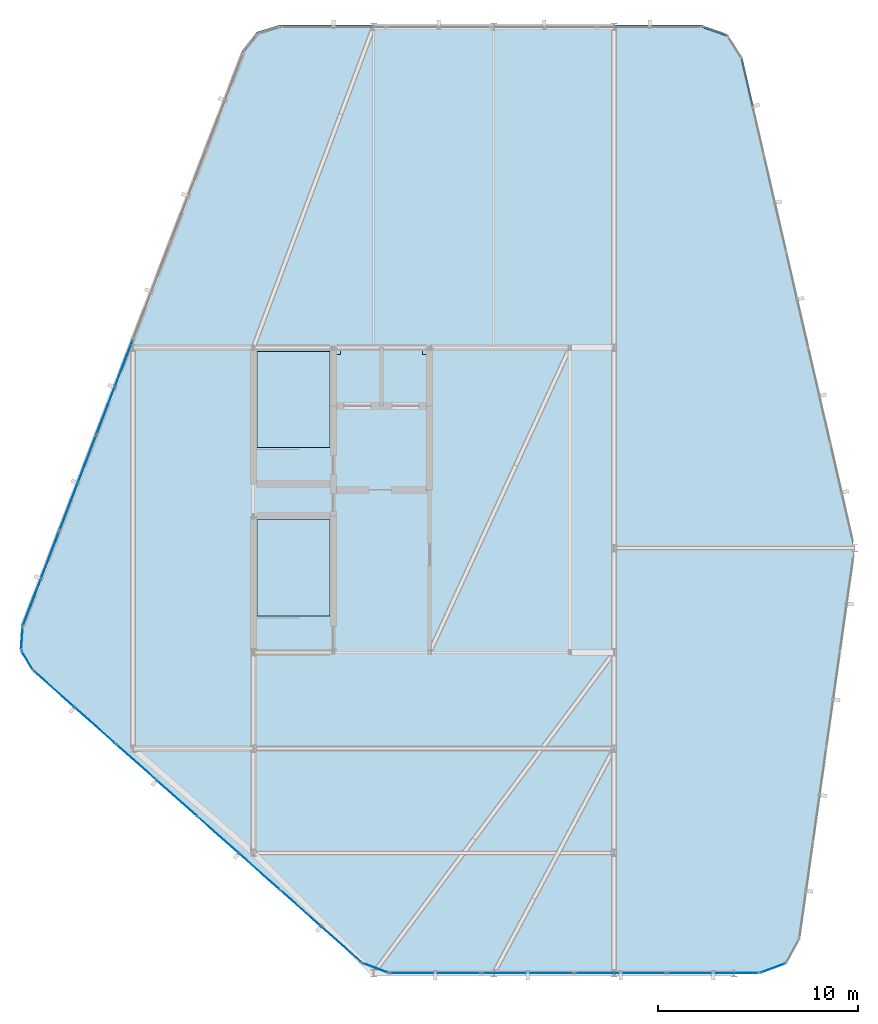
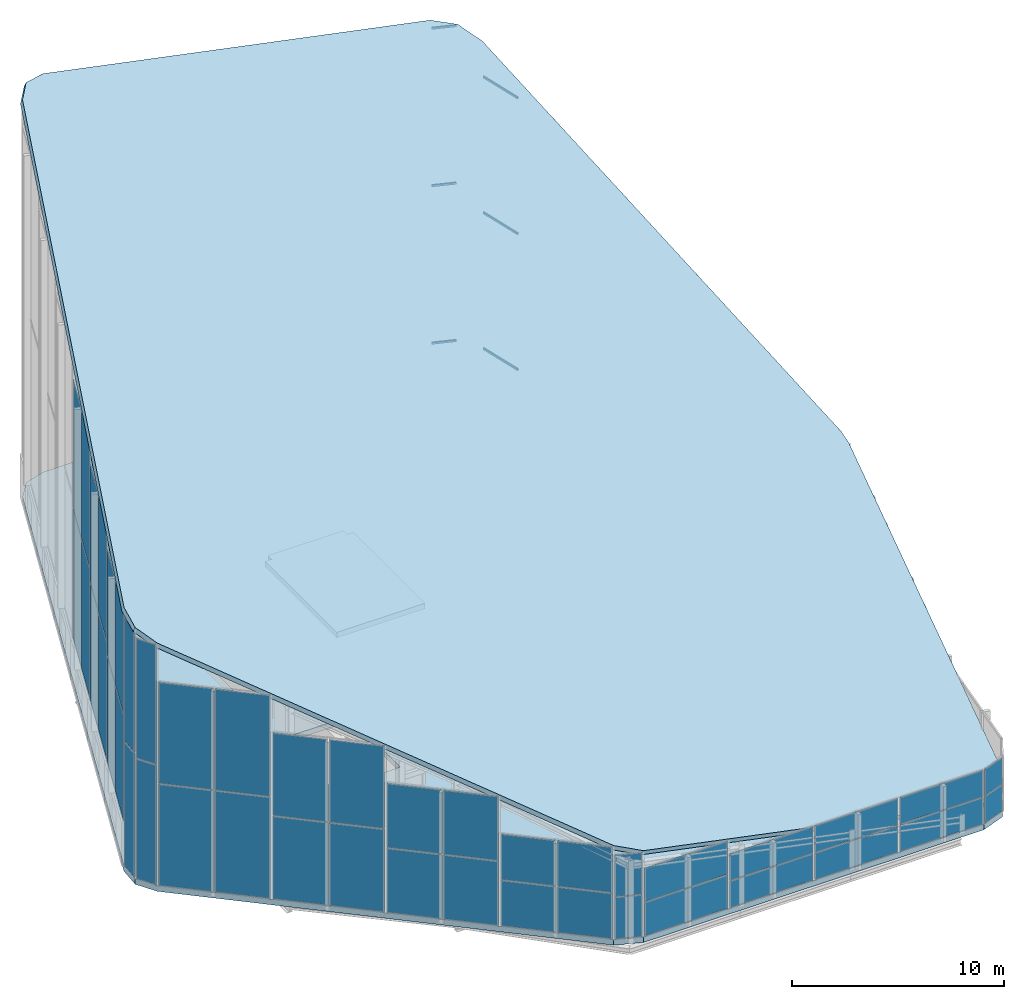
# One storey, part 71 of 74: 44 plates, 6 members, 3 slabs, 17 elements without a shape of their own.
"""IFC4 building model written with IfcOpenShell, lengths in metres."""

from ifc_helpers import new_model, si_unit, direction, frame, origin, origin_2d, place, context, subcontext, project, spatial, polyline, rectangle, hollow_rectangle, outline, extrude, material, layer, layer_set, material_profile, profile_set, type_object, element, aggregate, save


model = new_model("IFC4")

# Units and contexts
model_context = context("Model", 3, precision=1e-05, world=origin(), true_north=direction((0.0, 1.0)))
body_context = subcontext(model_context, "Body", "Model", "MODEL_VIEW")
ifc_project = project(units=[si_unit("LENGTHUNIT", "METRE"), si_unit("AREAUNIT", "SQUARE_METRE"), si_unit("VOLUMEUNIT", "CUBIC_METRE"), si_unit("PLANEANGLEUNIT", "RADIAN"), si_unit("MASSUNIT", "GRAM", prefix="KILO")], contexts=[model_context])

# Site, building, storey
site_placement = place(None, origin())
site = spatial("IfcSite", under=ifc_project, at=site_placement, CompositionType="ELEMENT")
building_placement = place(site_placement, origin())
building = spatial("IfcBuilding", under=site, at=building_placement, Name="Keshet Zoharim Tower", CompositionType="ELEMENT")
storey_placement = place(building_placement, frame((0.0, 0.0, 320.0)))
storey = spatial("IfcBuildingStorey", under=building, at=storey_placement, Name="RF", CompositionType="ELEMENT", Elevation=320.0)

# Curtain wall, members
ifc_material_1 = material(Name="Aluminium 6063-T6", Category="aluminium")
ifc_layer_1 = layer(ifc_material_1, 0.260009765625)
ifc_layer_set_1 = layer_set([ifc_layer_1], Name="Aluminium 6063-T6")
curtain_wall_type = type_object("IfcCurtainWallType", Name="CW-SYS-06", PredefinedType="NOTDEFINED", material=ifc_layer_set_1)
curtain_wall_1_placement = place(storey_placement, origin())
curtain_wall_1 = element("IfcCurtainWall", 1, at=curtain_wall_1_placement, inside=storey, type_object=curtain_wall_type, Name="Slanted Crown Curtain Wall 15", PredefinedType="NOTDEFINED")
ifc_material_profile = material_profile(ifc_material_1, hollow_rectangle(XDim=0.074951171875, YDim=0.1201171875, WallThickness=0.00390625, at=origin_2d()), Name="TRN-75x120")
ifc_profile_set = profile_set([ifc_material_profile], Name="Aluminium 6063-T6")
member_type = type_object("IfcMemberType", Name="CWT-T12", PredefinedType="USERDEFINED", material=ifc_profile_set)
member_1_placement = place(storey_placement, frame((37.470458984375, 53.878662109375, 0.032470703125), z_axis=(0.943960775978, -0.330057651653, 0.0), x_axis=(0.330057651653, 0.943960775978, 0.0)))
member_1 = element("IfcMember", 2, at=member_1_placement, type_object=member_type, Name="CW-06 transom 1.1", ObjectType="TRANSOM", PredefinedType="USERDEFINED", context=body_context, shape_type="SweptSolid", body=[
    extrude(hollow_rectangle(XDim=0.074951171875, YDim=0.1201171875, WallThickness=0.00390625, at=origin_2d()), origin(), (0.0, 0.0, 1.0), 1.188720703125),
])
member_2_placement = place(storey_placement, frame((37.470458984375, 53.878662109375, 9.08203125), z_axis=(0.943960775978, -0.330057651653, 0.0), x_axis=(0.330057651653, 0.943960775978, 0.0)))
member_2 = element("IfcMember", 3, at=member_2_placement, type_object=member_type, Name="CW-06 transom 1.2", ObjectType="TRANSOM", PredefinedType="USERDEFINED", context=body_context, shape_type="SweptSolid", body=[
    extrude(hollow_rectangle(XDim=0.074951171875, YDim=0.1201171875, WallThickness=0.00390625, at=origin_2d()), origin(), (0.0, 0.0, 1.0), 1.188720703125),
])
member_3_placement = place(storey_placement, frame((37.470458984375, 53.878662109375, 18.132568359375), z_axis=(0.943960775978, -0.330057651653, 0.0), x_axis=(0.330057651653, 0.943960775978, 0.0)))
member_3 = element("IfcMember", 4, at=member_3_placement, type_object=member_type, Name="CW-06 transom 1.3", ObjectType="TRANSOM", PredefinedType="USERDEFINED", context=body_context, shape_type="SweptSolid", body=[
    extrude(hollow_rectangle(XDim=0.074951171875, YDim=0.1201171875, WallThickness=0.00390625, at=origin_2d()), origin(), (0.0, 0.0, 1.0), 1.188720703125),
])
aggregate(curtain_wall_1, [member_1, member_2, member_3])

curtain_wall_2_placement = place(storey_placement, origin())
curtain_wall_2 = element("IfcCurtainWall", 5, at=curtain_wall_2_placement, inside=storey, type_object=curtain_wall_type, Name="Slanted Crown Curtain Wall 17", PredefinedType="NOTDEFINED")
member_4_placement = place(storey_placement, frame((39.37255859375, 52.28662109375, 0.032470703125), z_axis=(0.224934587416, -0.974373866329, 0.0), x_axis=(0.974373866329, 0.224934587416, 0.0)))
member_4 = element("IfcMember", 6, at=member_4_placement, type_object=member_type, Name="CW-06 transom 1.1", ObjectType="TRANSOM", PredefinedType="USERDEFINED", context=body_context, shape_type="SweptSolid", body=[
    extrude(hollow_rectangle(XDim=0.074951171875, YDim=0.1201171875, WallThickness=0.00390625, at=origin_2d()), origin(), (0.0, 0.0, 1.0), 2.374755859375),
])
member_5_placement = place(storey_placement, frame((39.37255859375, 52.28662109375, 7.839111328125), z_axis=(0.224934587416, -0.974373866329, 0.0), x_axis=(0.974373866329, 0.224934587416, 0.0)))
member_5 = element("IfcMember", 7, at=member_5_placement, type_object=member_type, Name="CW-06 transom 1.2", ObjectType="TRANSOM", PredefinedType="USERDEFINED", context=body_context, shape_type="SweptSolid", body=[
    extrude(hollow_rectangle(XDim=0.074951171875, YDim=0.1201171875, WallThickness=0.00390625, at=origin_2d()), origin(), (0.0, 0.0, 1.0), 2.374755859375),
])
member_6_placement = place(storey_placement, frame((39.37255859375, 52.28662109375, 15.646484375), z_axis=(0.224934587416, -0.974373866329, 0.0), x_axis=(0.974373866329, 0.224934587416, 0.0)))
member_6 = element("IfcMember", 8, at=member_6_placement, type_object=member_type, Name="CW-06 transom 1.3", ObjectType="TRANSOM", PredefinedType="USERDEFINED", context=body_context, shape_type="SweptSolid", body=[
    extrude(hollow_rectangle(XDim=0.074951171875, YDim=0.1201171875, WallThickness=0.00390625, at=origin_2d()), origin(), (0.0, 0.0, 1.0), 2.374755859375),
])
aggregate(curtain_wall_2, [member_4, member_5, member_6])

# Curtain wall, plates
curtain_wall_3_placement = place(storey_placement, origin())
curtain_wall_3 = element("IfcCurtainWall", 9, at=curtain_wall_3_placement, inside=storey, type_object=curtain_wall_type, Name="Slanted Crown Curtain Wall 01", PredefinedType="NOTDEFINED")
ifc_material_2 = material(Name="Insulated Low-E Clear Glass", Category="glass")
ifc_layer_2 = layer(ifc_material_2, 0.028076171875)
ifc_layer_set_2 = layer_set([ifc_layer_2], Name="Insulated Low-E Clear Glass")
plate_type_1 = type_object("IfcPlateType", Name="CWP-03", PredefinedType="CURTAIN_PANEL", material=ifc_layer_set_2)
plate_1_placement = place(storey_placement, frame((3.7275390625, 22.291015625, 0.06494140625), z_axis=(0.0, 0.0, 1.0), x_axis=(-0.515604947933, 0.856826433805, 0.0)))
plate_1 = element("IfcPlate", 10, at=plate_1_placement, type_object=plate_type_1, Name="CW-06 panel 1.1", PredefinedType="CURTAIN_PANEL", context=body_context, shape_type="SweptSolid", body=[
    extrude(rectangle(XDim=1.062744140625, YDim=0.028076171875, at=origin_2d()), origin(), (0.0, 0.0, 1.0), 6.866455078125),
])
plate_2_placement = place(storey_placement, frame((3.7275390625, 22.291015625, 6.99658203125), z_axis=(0.0, 0.0, 1.0), x_axis=(-0.515604947933, 0.856826433805, 0.0)))
plate_2 = element("IfcPlate", 11, at=plate_2_placement, type_object=plate_type_1, Name="CW-06 panel 1.2", PredefinedType="CURTAIN_PANEL", context=body_context, shape_type="SweptSolid", body=[
    extrude(rectangle(XDim=1.062744140625, YDim=0.028076171875, at=origin_2d()), origin(), (0.0, 0.0, 1.0), 6.866455078125),
])
aggregate(curtain_wall_3, [plate_1, plate_2])

curtain_wall_4_placement = place(storey_placement, origin())
curtain_wall_4 = element("IfcCurtainWall", 12, at=curtain_wall_4_placement, inside=storey, type_object=curtain_wall_type, Name="Slanted Crown Curtain Wall 02", PredefinedType="NOTDEFINED")
plate_3_placement = place(storey_placement, frame((3.45849609375, 23.3974609375, 0.06494140625), z_axis=(0.0, 0.0, 1.0), x_axis=(0.064516859374, 0.997916617186, 0.0)))
plate_3 = element("IfcPlate", 13, at=plate_3_placement, type_object=plate_type_1, Name="CW-06 panel 1.1", PredefinedType="CURTAIN_PANEL", context=body_context, shape_type="SweptSolid", body=[
    extrude(rectangle(XDim=1.0634765625, YDim=0.028076171875, at=origin_2d()), origin(), (0.0, 0.0, 1.0), 7.111572265625),
])
plate_4_placement = place(storey_placement, frame((3.45849609375, 23.3974609375, 7.24169921875), z_axis=(0.0, 0.0, 1.0), x_axis=(0.064516859374, 0.997916617186, 0.0)))
plate_4 = element("IfcPlate", 14, at=plate_4_placement, type_object=plate_type_1, Name="CW-06 panel 1.2", PredefinedType="CURTAIN_PANEL", context=body_context, shape_type="SweptSolid", body=[
    extrude(rectangle(XDim=1.0634765625, YDim=0.028076171875, at=origin_2d()), origin(), (0.0, 0.0, 1.0), 7.111572265625),
])
aggregate(curtain_wall_4, [plate_3, plate_4])

curtain_wall_5_placement = place(storey_placement, origin())
curtain_wall_5 = element("IfcCurtainWall", 15, at=curtain_wall_5_placement, inside=storey, type_object=curtain_wall_type, Name="Slanted Crown Curtain Wall 03", PredefinedType="NOTDEFINED")
plate_5_placement = place(storey_placement, frame((3.961669921875, 25.200927734375, 2.56494140625), z_axis=(0.0, 0.0, 1.0), x_axis=(0.358979079302, 0.933345606206, 0.0)))
plate_5 = element("IfcPlate", 16, at=plate_5_placement, type_object=plate_type_1, Name="CW-06 panel 1.1", PredefinedType="CURTAIN_PANEL", context=body_context, shape_type="SweptSolid", body=[
    extrude(rectangle(XDim=2.458251953125, YDim=0.028076171875, at=origin_2d()), origin(), (0.0, 0.0, 1.0), 6.0654296875),
])
plate_6_placement = place(storey_placement, frame((3.961669921875, 25.200927734375, 8.695556640625), z_axis=(0.0, 0.0, 1.0), x_axis=(0.358979079302, 0.933345606206, 0.0)))
plate_6 = element("IfcPlate", 17, at=plate_6_placement, type_object=plate_type_1, Name="CW-06 panel 1.2", PredefinedType="CURTAIN_PANEL", context=body_context, shape_type="SweptSolid", body=[
    extrude(rectangle(XDim=2.458251953125, YDim=0.028076171875, at=origin_2d()), origin(), (0.0, 0.0, 1.0), 6.06640625),
])
plate_7_placement = place(storey_placement, frame((4.867431640625, 27.55615234375, 2.56494140625), z_axis=(0.0, 0.0, 1.0), x_axis=(0.358979079302, 0.933345606206, 0.0)))
plate_7 = element("IfcPlate", 18, at=plate_7_placement, type_object=plate_type_1, Name="CW-06 panel 2.1", PredefinedType="CURTAIN_PANEL", context=body_context, shape_type="SweptSolid", body=[
    extrude(rectangle(XDim=2.458251953125, YDim=0.028076171875, at=origin_2d()), origin(), (0.0, 0.0, 1.0), 6.0654296875),
])
plate_8_placement = place(storey_placement, frame((4.867431640625, 27.55615234375, 8.695556640625), z_axis=(0.0, 0.0, 1.0), x_axis=(0.358979079302, 0.933345606206, 0.0)))
plate_8 = element("IfcPlate", 19, at=plate_8_placement, type_object=plate_type_1, Name="CW-06 panel 2.2", PredefinedType="CURTAIN_PANEL", context=body_context, shape_type="SweptSolid", body=[
    extrude(rectangle(XDim=2.458251953125, YDim=0.028076171875, at=origin_2d()), origin(), (0.0, 0.0, 1.0), 6.06640625),
])
aggregate(curtain_wall_5, [plate_5, plate_6, plate_7, plate_8])

curtain_wall_6_placement = place(storey_placement, origin())
curtain_wall_6 = element("IfcCurtainWall", 20, at=curtain_wall_6_placement, inside=storey, type_object=curtain_wall_type, Name="Slanted Crown Curtain Wall 04", PredefinedType="NOTDEFINED")
plate_9_placement = place(storey_placement, frame((5.796630859375, 29.971923828125, 2.56494140625), z_axis=(0.0, 0.0, 1.0), x_axis=(0.358979079302, 0.933345606206, 0.0)))
plate_9 = element("IfcPlate", 21, at=plate_9_placement, type_object=plate_type_1, Name="CW-06 panel 1.1", PredefinedType="CURTAIN_PANEL", context=body_context, shape_type="SweptSolid", body=[
    extrude(rectangle(XDim=2.458251953125, YDim=0.028076171875, at=origin_2d()), origin(), (0.0, 0.0, 1.0), 6.7294921875),
])
plate_10_placement = place(storey_placement, frame((5.796630859375, 29.971923828125, 9.359619140625), z_axis=(0.0, 0.0, 1.0), x_axis=(0.358979079302, 0.933345606206, 0.0)))
plate_10 = element("IfcPlate", 22, at=plate_10_placement, type_object=plate_type_1, Name="CW-06 panel 1.2", PredefinedType="CURTAIN_PANEL", context=body_context, shape_type="SweptSolid", body=[
    extrude(rectangle(XDim=2.458251953125, YDim=0.028076171875, at=origin_2d()), origin(), (0.0, 0.0, 1.0), 6.7294921875),
])
plate_11_placement = place(storey_placement, frame((6.702392578125, 32.3271484375, 2.56494140625), z_axis=(0.0, 0.0, 1.0), x_axis=(0.358979079302, 0.933345606206, 0.0)))
plate_11 = element("IfcPlate", 23, at=plate_11_placement, type_object=plate_type_1, Name="CW-06 panel 2.1", PredefinedType="CURTAIN_PANEL", context=body_context, shape_type="SweptSolid", body=[
    extrude(rectangle(XDim=2.458251953125, YDim=0.028076171875, at=origin_2d()), origin(), (0.0, 0.0, 1.0), 6.7294921875),
])
plate_12_placement = place(storey_placement, frame((6.702392578125, 32.3271484375, 9.359619140625), z_axis=(0.0, 0.0, 1.0), x_axis=(0.358979079302, 0.933345606206, 0.0)))
plate_12 = element("IfcPlate", 24, at=plate_12_placement, type_object=plate_type_1, Name="CW-06 panel 2.2", PredefinedType="CURTAIN_PANEL", context=body_context, shape_type="SweptSolid", body=[
    extrude(rectangle(XDim=2.458251953125, YDim=0.028076171875, at=origin_2d()), origin(), (0.0, 0.0, 1.0), 6.7294921875),
])
aggregate(curtain_wall_6, [plate_9, plate_10, plate_11, plate_12])

curtain_wall_7_placement = place(storey_placement, origin())
curtain_wall_7 = element("IfcCurtainWall", 25, at=curtain_wall_7_placement, inside=storey, type_object=curtain_wall_type, Name="Slanted Crown Curtain Wall 27", PredefinedType="NOTDEFINED")
plate_13_placement = place(storey_placement, frame((40.91845703125, 6.945068359375, 0.06494140625), z_axis=(0.0, 0.0, 1.0), x_axis=(-0.936710343781, -0.350105315376, 0.0)))
plate_13 = element("IfcPlate", 26, at=plate_13_placement, type_object=plate_type_1, Name="CW-06 panel 1.1", PredefinedType="CURTAIN_PANEL", context=body_context, shape_type="SweptSolid", body=[
    extrude(rectangle(XDim=1.26953125, YDim=0.028076171875, at=origin_2d()), origin(), (0.0, 0.0, 1.0), 1.50244140625),
])
plate_14_placement = place(storey_placement, frame((40.91845703125, 6.945068359375, 1.632568359375), z_axis=(0.0, 0.0, 1.0), x_axis=(-0.936710343781, -0.350105315376, 0.0)))
plate_14 = element("IfcPlate", 27, at=plate_14_placement, type_object=plate_type_1, Name="CW-06 panel 1.2", PredefinedType="CURTAIN_PANEL", context=body_context, shape_type="SweptSolid", body=[
    extrude(rectangle(XDim=1.26953125, YDim=0.028076171875, at=origin_2d()), origin(), (0.0, 0.0, 1.0), 1.50244140625),
])
aggregate(curtain_wall_7, [plate_13, plate_14])

curtain_wall_8_placement = place(storey_placement, origin())
curtain_wall_8 = element("IfcCurtainWall", 28, at=curtain_wall_8_placement, inside=storey, type_object=curtain_wall_type, Name="Slanted Crown Curtain Wall 28", PredefinedType="NOTDEFINED")
plate_15_placement = place(storey_placement, frame((37.949951171875, 6.699951171875, 0.06494140625), z_axis=(0.0, 0.0, 1.0), x_axis=(-1.0, 0.0, 0.0)))
plate_15 = element("IfcPlate", 29, at=plate_15_placement, type_object=plate_type_1, Name="CW-06 panel 1.1", PredefinedType="CURTAIN_PANEL", context=body_context, shape_type="SweptSolid", body=[
    extrude(rectangle(XDim=4.49609375, YDim=0.028076171875, at=origin_2d()), origin(), (0.0, 0.0, 1.0), 1.50244140625),
])
plate_16_placement = place(storey_placement, frame((37.949951171875, 6.699951171875, 1.632568359375), z_axis=(0.0, 0.0, 1.0), x_axis=(-1.0, 0.0, 0.0)))
plate_16 = element("IfcPlate", 30, at=plate_16_placement, type_object=plate_type_1, Name="CW-06 panel 1.2", PredefinedType="CURTAIN_PANEL", context=body_context, shape_type="SweptSolid", body=[
    extrude(rectangle(XDim=4.49609375, YDim=0.028076171875, at=origin_2d()), origin(), (0.0, 0.0, 1.0), 1.50244140625),
])
aggregate(curtain_wall_8, [plate_15, plate_16])

curtain_wall_9_placement = place(storey_placement, origin())
curtain_wall_9 = element("IfcCurtainWall", 31, at=curtain_wall_9_placement, inside=storey, type_object=curtain_wall_type, Name="Slanted Crown Curtain Wall 29", PredefinedType="NOTDEFINED")
plate_17_placement = place(storey_placement, frame((33.323974609375, 6.699951171875, 0.06494140625), z_axis=(0.0, 0.0, 1.0), x_axis=(-1.0, 0.0, 0.0)))
plate_17 = element("IfcPlate", 32, at=plate_17_placement, type_object=plate_type_1, Name="CW-06 panel 1.1", PredefinedType="CURTAIN_PANEL", context=body_context, shape_type="SweptSolid", body=[
    extrude(rectangle(XDim=4.49609375, YDim=0.028076171875, at=origin_2d()), origin(), (0.0, 0.0, 1.0), 1.50244140625),
])
plate_18_placement = place(storey_placement, frame((33.323974609375, 6.699951171875, 1.632568359375), z_axis=(0.0, 0.0, 1.0), x_axis=(-1.0, 0.0, 0.0)))
plate_18 = element("IfcPlate", 33, at=plate_18_placement, type_object=plate_type_1, Name="CW-06 panel 1.2", PredefinedType="CURTAIN_PANEL", context=body_context, shape_type="SweptSolid", body=[
    extrude(rectangle(XDim=4.49609375, YDim=0.028076171875, at=origin_2d()), origin(), (0.0, 0.0, 1.0), 1.50244140625),
])
aggregate(curtain_wall_9, [plate_17, plate_18])

curtain_wall_10_placement = place(storey_placement, origin())
curtain_wall_10 = element("IfcCurtainWall", 34, at=curtain_wall_10_placement, inside=storey, type_object=curtain_wall_type, Name="Slanted Crown Curtain Wall 30", PredefinedType="NOTDEFINED")
plate_19_placement = place(storey_placement, frame((28.698486328125, 6.699951171875, 0.06494140625), z_axis=(0.0, 0.0, 1.0), x_axis=(-1.0, 0.0, 0.0)))
plate_19 = element("IfcPlate", 35, at=plate_19_placement, type_object=plate_type_1, Name="CW-06 panel 1.1", PredefinedType="CURTAIN_PANEL", context=body_context, shape_type="SweptSolid", body=[
    extrude(rectangle(XDim=4.4951171875, YDim=0.028076171875, at=origin_2d()), origin(), (0.0, 0.0, 1.0), 1.50244140625),
])
plate_20_placement = place(storey_placement, frame((28.698486328125, 6.699951171875, 1.632568359375), z_axis=(0.0, 0.0, 1.0), x_axis=(-1.0, 0.0, 0.0)))
plate_20 = element("IfcPlate", 36, at=plate_20_placement, type_object=plate_type_1, Name="CW-06 panel 1.2", PredefinedType="CURTAIN_PANEL", context=body_context, shape_type="SweptSolid", body=[
    extrude(rectangle(XDim=4.4951171875, YDim=0.028076171875, at=origin_2d()), origin(), (0.0, 0.0, 1.0), 1.50244140625),
])
aggregate(curtain_wall_10, [plate_19, plate_20])

curtain_wall_11_placement = place(storey_placement, origin())
curtain_wall_11 = element("IfcCurtainWall", 37, at=curtain_wall_11_placement, inside=storey, type_object=curtain_wall_type, Name="Slanted Crown Curtain Wall 31", PredefinedType="NOTDEFINED")
plate_21_placement = place(storey_placement, frame((24.072998046875, 6.699951171875, 0.06494140625), z_axis=(0.0, 0.0, 1.0), x_axis=(-1.0, 0.0, 0.0)))
plate_21 = element("IfcPlate", 38, at=plate_21_placement, type_object=plate_type_1, Name="CW-06 panel 1.1", PredefinedType="CURTAIN_PANEL", context=body_context, shape_type="SweptSolid", body=[
    extrude(rectangle(XDim=4.49609375, YDim=0.028076171875, at=origin_2d()), origin(), (0.0, 0.0, 1.0), 1.8984375),
])
plate_22_placement = place(storey_placement, frame((24.072998046875, 6.699951171875, 2.028564453125), z_axis=(0.0, 0.0, 1.0), x_axis=(-1.0, 0.0, 0.0)))
plate_22 = element("IfcPlate", 39, at=plate_22_placement, type_object=plate_type_1, Name="CW-06 panel 1.2", PredefinedType="CURTAIN_PANEL", context=body_context, shape_type="SweptSolid", body=[
    extrude(rectangle(XDim=4.49609375, YDim=0.028076171875, at=origin_2d()), origin(), (0.0, 0.0, 1.0), 1.8994140625),
])
aggregate(curtain_wall_11, [plate_21, plate_22])

curtain_wall_12_placement = place(storey_placement, origin())
curtain_wall_12 = element("IfcCurtainWall", 40, at=curtain_wall_12_placement, inside=storey, type_object=curtain_wall_type, Name="Slanted Crown Curtain Wall 32", PredefinedType="NOTDEFINED")
plate_23_placement = place(storey_placement, frame((21.095947265625, 6.952392578125, 0.06494140625), z_axis=(0.0, 0.0, 1.0), x_axis=(-0.934699418314, 0.355439161326, 0.0)))
plate_23 = element("IfcPlate", 41, at=plate_23_placement, type_object=plate_type_1, Name="CW-06 panel 1.1", PredefinedType="CURTAIN_PANEL", context=body_context, shape_type="SweptSolid", body=[
    extrude(rectangle(XDim=1.290771484375, YDim=0.028076171875, at=origin_2d()), origin(), (0.0, 0.0, 1.0), 2.37158203125),
])
plate_24_placement = place(storey_placement, frame((21.095947265625, 6.952392578125, 2.50146484375), z_axis=(0.0, 0.0, 1.0), x_axis=(-0.934699418314, 0.355439161326, 0.0)))
plate_24 = element("IfcPlate", 42, at=plate_24_placement, type_object=plate_type_1, Name="CW-06 panel 1.2", PredefinedType="CURTAIN_PANEL", context=body_context, shape_type="SweptSolid", body=[
    extrude(rectangle(XDim=1.290771484375, YDim=0.028076171875, at=origin_2d()), origin(), (0.0, 0.0, 1.0), 2.37060546875),
])
aggregate(curtain_wall_12, [plate_23, plate_24])

curtain_wall_13_placement = place(storey_placement, origin())
curtain_wall_13 = element("IfcCurtainWall", 43, at=curtain_wall_13_placement, inside=storey, type_object=curtain_wall_type, Name="Slanted Crown Curtain Wall 33", PredefinedType="NOTDEFINED")
plate_25_placement = place(storey_placement, frame((19.39501953125, 8.126708984375, 0.06494140625), z_axis=(0.0, 0.0, 1.0), x_axis=(-0.747369079055, 0.664409105651, 0.0)))
plate_25 = element("IfcPlate", 44, at=plate_25_placement, type_object=plate_type_1, Name="CW-06 panel 1.1", PredefinedType="CURTAIN_PANEL", context=body_context, shape_type="SweptSolid", body=[
    extrude(rectangle(XDim=2.644775390625, YDim=0.028076171875, at=origin_2d()), origin(), (0.0, 0.0, 1.0), 2.595458984375),
])
plate_26_placement = place(storey_placement, frame((19.39501953125, 8.126708984375, 2.7255859375), z_axis=(0.0, 0.0, 1.0), x_axis=(-0.747369079055, 0.664409105651, 0.0)))
plate_26 = element("IfcPlate", 45, at=plate_26_placement, type_object=plate_type_1, Name="CW-06 panel 1.2", PredefinedType="CURTAIN_PANEL", context=body_context, shape_type="SweptSolid", body=[
    extrude(rectangle(XDim=2.644775390625, YDim=0.028076171875, at=origin_2d()), origin(), (0.0, 0.0, 1.0), 2.596435546875),
])
plate_27_placement = place(storey_placement, frame((17.369873046875, 9.92724609375, 0.06494140625), z_axis=(0.0, 0.0, 1.0), x_axis=(-0.747369079055, 0.664409105651, 0.0)))
plate_27 = element("IfcPlate", 46, at=plate_27_placement, type_object=plate_type_1, Name="CW-06 panel 2.1", PredefinedType="CURTAIN_PANEL", context=body_context, shape_type="SweptSolid", body=[
    extrude(rectangle(XDim=2.644775390625, YDim=0.028076171875, at=origin_2d()), origin(), (0.0, 0.0, 1.0), 2.595458984375),
])
plate_28_placement = place(storey_placement, frame((17.369873046875, 9.92724609375, 2.7255859375), z_axis=(0.0, 0.0, 1.0), x_axis=(-0.747369079055, 0.664409105651, 0.0)))
plate_28 = element("IfcPlate", 47, at=plate_28_placement, type_object=plate_type_1, Name="CW-06 panel 2.2", PredefinedType="CURTAIN_PANEL", context=body_context, shape_type="SweptSolid", body=[
    extrude(rectangle(XDim=2.644775390625, YDim=0.028076171875, at=origin_2d()), origin(), (0.0, 0.0, 1.0), 2.596435546875),
])
aggregate(curtain_wall_13, [plate_25, plate_26, plate_27, plate_28])

curtain_wall_14_placement = place(storey_placement, origin())
curtain_wall_14 = element("IfcCurtainWall", 48, at=curtain_wall_14_placement, inside=storey, type_object=curtain_wall_type, Name="Slanted Crown Curtain Wall 34", PredefinedType="NOTDEFINED")
plate_29_placement = place(storey_placement, frame((15.2958984375, 11.7705078125, 0.06494140625), z_axis=(0.0, 0.0, 1.0), x_axis=(-0.747540076565, 0.664216707054, 0.0)))
plate_29 = element("IfcPlate", 49, at=plate_29_placement, type_object=plate_type_1, Name="CW-06 panel 1.1", PredefinedType="CURTAIN_PANEL", context=body_context, shape_type="SweptSolid", body=[
    extrude(rectangle(XDim=2.644775390625, YDim=0.028076171875, at=origin_2d()), origin(), (0.0, 0.0, 1.0), 3.66455078125),
])
plate_30_placement = place(storey_placement, frame((15.2958984375, 11.7705078125, 3.79443359375), z_axis=(0.0, 0.0, 1.0), x_axis=(-0.747540076565, 0.664216707054, 0.0)))
plate_30 = element("IfcPlate", 50, at=plate_30_placement, type_object=plate_type_1, Name="CW-06 panel 1.2", PredefinedType="CURTAIN_PANEL", context=body_context, shape_type="SweptSolid", body=[
    extrude(rectangle(XDim=2.644775390625, YDim=0.028076171875, at=origin_2d()), origin(), (0.0, 0.0, 1.0), 3.66357421875),
])
plate_31_placement = place(storey_placement, frame((13.270263671875, 13.570556640625, 0.06494140625), z_axis=(0.0, 0.0, 1.0), x_axis=(-0.747540076565, 0.664216707054, 0.0)))
plate_31 = element("IfcPlate", 51, at=plate_31_placement, type_object=plate_type_1, Name="CW-06 panel 2.1", PredefinedType="CURTAIN_PANEL", context=body_context, shape_type="SweptSolid", body=[
    extrude(rectangle(XDim=2.644775390625, YDim=0.028076171875, at=origin_2d()), origin(), (0.0, 0.0, 1.0), 3.66455078125),
])
plate_32_placement = place(storey_placement, frame((13.270263671875, 13.570556640625, 3.79443359375), z_axis=(0.0, 0.0, 1.0), x_axis=(-0.747540076565, 0.664216707054, 0.0)))
plate_32 = element("IfcPlate", 52, at=plate_32_placement, type_object=plate_type_1, Name="CW-06 panel 2.2", PredefinedType="CURTAIN_PANEL", context=body_context, shape_type="SweptSolid", body=[
    extrude(rectangle(XDim=2.644775390625, YDim=0.028076171875, at=origin_2d()), origin(), (0.0, 0.0, 1.0), 3.66357421875),
])
aggregate(curtain_wall_14, [plate_29, plate_30, plate_31, plate_32])

curtain_wall_15_placement = place(storey_placement, origin())
curtain_wall_15 = element("IfcCurtainWall", 53, at=curtain_wall_15_placement, inside=storey, type_object=curtain_wall_type, Name="Slanted Crown Curtain Wall 35", PredefinedType="NOTDEFINED")
plate_33_placement = place(storey_placement, frame((11.196044921875, 15.413818359375, 0.06494140625), z_axis=(0.0, 0.0, 1.0), x_axis=(-0.747369079055, 0.664409105651, 0.0)))
plate_33 = element("IfcPlate", 54, at=plate_33_placement, type_object=plate_type_1, Name="CW-06 panel 1.1", PredefinedType="CURTAIN_PANEL", context=body_context, shape_type="SweptSolid", body=[
    extrude(rectangle(XDim=2.644775390625, YDim=0.028076171875, at=origin_2d()), origin(), (0.0, 0.0, 1.0), 4.7314453125),
])
plate_34_placement = place(storey_placement, frame((11.196044921875, 15.413818359375, 4.861572265625), z_axis=(0.0, 0.0, 1.0), x_axis=(-0.747369079055, 0.664409105651, 0.0)))
plate_34 = element("IfcPlate", 55, at=plate_34_placement, type_object=plate_type_1, Name="CW-06 panel 1.2", PredefinedType="CURTAIN_PANEL", context=body_context, shape_type="SweptSolid", body=[
    extrude(rectangle(XDim=2.644775390625, YDim=0.028076171875, at=origin_2d()), origin(), (0.0, 0.0, 1.0), 4.7314453125),
])
plate_35_placement = place(storey_placement, frame((9.1708984375, 17.214111328125, 0.06494140625), z_axis=(0.0, 0.0, 1.0), x_axis=(-0.747369079055, 0.664409105651, 0.0)))
plate_35 = element("IfcPlate", 56, at=plate_35_placement, type_object=plate_type_1, Name="CW-06 panel 2.1", PredefinedType="CURTAIN_PANEL", context=body_context, shape_type="SweptSolid", body=[
    extrude(rectangle(XDim=2.644775390625, YDim=0.028076171875, at=origin_2d()), origin(), (0.0, 0.0, 1.0), 4.7314453125),
])
plate_36_placement = place(storey_placement, frame((9.1708984375, 17.214111328125, 4.861572265625), z_axis=(0.0, 0.0, 1.0), x_axis=(-0.747369079055, 0.664409105651, 0.0)))
plate_36 = element("IfcPlate", 57, at=plate_36_placement, type_object=plate_type_1, Name="CW-06 panel 2.2", PredefinedType="CURTAIN_PANEL", context=body_context, shape_type="SweptSolid", body=[
    extrude(rectangle(XDim=2.644775390625, YDim=0.028076171875, at=origin_2d()), origin(), (0.0, 0.0, 1.0), 4.7314453125),
])
aggregate(curtain_wall_15, [plate_33, plate_34, plate_35, plate_36])

curtain_wall_16_placement = place(storey_placement, origin())
curtain_wall_16 = element("IfcCurtainWall", 58, at=curtain_wall_16_placement, inside=storey, type_object=curtain_wall_type, Name="Slanted Crown Curtain Wall 36", PredefinedType="NOTDEFINED")
plate_37_placement = place(storey_placement, frame((7.09716796875, 19.057861328125, 0.06494140625), z_axis=(0.0, 0.0, 1.0), x_axis=(-0.747369079055, 0.664409105651, 0.0)))
plate_37 = element("IfcPlate", 59, at=plate_37_placement, type_object=plate_type_1, Name="CW-06 panel 1.1", PredefinedType="CURTAIN_PANEL", context=body_context, shape_type="SweptSolid", body=[
    extrude(rectangle(XDim=2.644775390625, YDim=0.028076171875, at=origin_2d()), origin(), (0.0, 0.0, 1.0), 5.799560546875),
])
plate_38_placement = place(storey_placement, frame((7.09716796875, 19.057861328125, 5.9296875), z_axis=(0.0, 0.0, 1.0), x_axis=(-0.747369079055, 0.664409105651, 0.0)))
plate_38 = element("IfcPlate", 60, at=plate_38_placement, type_object=plate_type_1, Name="CW-06 panel 1.2", PredefinedType="CURTAIN_PANEL", context=body_context, shape_type="SweptSolid", body=[
    extrude(rectangle(XDim=2.644775390625, YDim=0.028076171875, at=origin_2d()), origin(), (0.0, 0.0, 1.0), 5.798583984375),
])
plate_39_placement = place(storey_placement, frame((5.07177734375, 20.858154296875, 0.06494140625), z_axis=(0.0, 0.0, 1.0), x_axis=(-0.747369079055, 0.664409105651, 0.0)))
plate_39 = element("IfcPlate", 61, at=plate_39_placement, type_object=plate_type_1, Name="CW-06 panel 2.1", PredefinedType="CURTAIN_PANEL", context=body_context, shape_type="SweptSolid", body=[
    extrude(rectangle(XDim=2.644775390625, YDim=0.028076171875, at=origin_2d()), origin(), (0.0, 0.0, 1.0), 5.799560546875),
])
plate_40_placement = place(storey_placement, frame((5.07177734375, 20.858154296875, 5.9296875), z_axis=(0.0, 0.0, 1.0), x_axis=(-0.747369079055, 0.664409105651, 0.0)))
plate_40 = element("IfcPlate", 62, at=plate_40_placement, type_object=plate_type_1, Name="CW-06 panel 2.2", PredefinedType="CURTAIN_PANEL", context=body_context, shape_type="SweptSolid", body=[
    extrude(rectangle(XDim=2.644775390625, YDim=0.028076171875, at=origin_2d()), origin(), (0.0, 0.0, 1.0), 5.798583984375),
])
aggregate(curtain_wall_16, [plate_37, plate_38, plate_39, plate_40])

curtain_wall_17_placement = place(storey_placement, origin())
curtain_wall_17 = element("IfcCurtainWall", 63, at=curtain_wall_17_placement, inside=storey, type_object=curtain_wall_type, Name="Slanted Crown Curtain Wall 05", PredefinedType="NOTDEFINED")
ifc_material_3 = material(Name="Insulated Aluminium Spandrel Panel", Category="aluminium")
ifc_layer_3 = layer(ifc_material_3, 0.028076171875)
ifc_layer_set_3 = layer_set([ifc_layer_3], Name="Insulated Aluminium Spandrel Panel")
plate_type_2 = type_object("IfcPlateType", Name="CWP-06", PredefinedType="CURTAIN_PANEL", material=ifc_layer_set_3)
plate_41_placement = place(storey_placement, frame((7.631591796875, 34.742919921875, 2.56494140625), z_axis=(0.0, 0.0, 1.0), x_axis=(0.358979079302, 0.933345606206, 0.0)))
plate_41 = element("IfcPlate", 64, at=plate_41_placement, type_object=plate_type_2, Name="CW-06 spandrel panel 1.1", PredefinedType="CURTAIN_PANEL", context=body_context, shape_type="SweptSolid", body=[
    extrude(rectangle(XDim=2.458251953125, YDim=0.028076171875, at=origin_2d()), origin(), (0.0, 0.0, 1.0), 7.392578125),
])
plate_42_placement = place(storey_placement, frame((7.631591796875, 34.742919921875, 10.0224609375), z_axis=(0.0, 0.0, 1.0), x_axis=(0.358979079302, 0.933345606206, 0.0)))
plate_42 = element("IfcPlate", 65, at=plate_42_placement, type_object=plate_type_2, Name="CW-06 spandrel panel 1.2", PredefinedType="CURTAIN_PANEL", context=body_context, shape_type="SweptSolid", body=[
    extrude(rectangle(XDim=2.458251953125, YDim=0.028076171875, at=origin_2d()), origin(), (0.0, 0.0, 1.0), 7.3935546875),
])
plate_43_placement = place(storey_placement, frame((8.537353515625, 37.09814453125, 2.56494140625), z_axis=(0.0, 0.0, 1.0), x_axis=(0.358979079302, 0.933345606206, 0.0)))
plate_43 = element("IfcPlate", 66, at=plate_43_placement, type_object=plate_type_2, Name="CW-06 spandrel panel 2.1", PredefinedType="CURTAIN_PANEL", context=body_context, shape_type="SweptSolid", body=[
    extrude(rectangle(XDim=2.458251953125, YDim=0.028076171875, at=origin_2d()), origin(), (0.0, 0.0, 1.0), 7.392578125),
])
plate_44_placement = place(storey_placement, frame((8.537353515625, 37.09814453125, 10.0224609375), z_axis=(0.0, 0.0, 1.0), x_axis=(0.358979079302, 0.933345606206, 0.0)))
plate_44 = element("IfcPlate", 67, at=plate_44_placement, type_object=plate_type_2, Name="CW-06 spandrel panel 2.2", PredefinedType="CURTAIN_PANEL", context=body_context, shape_type="SweptSolid", body=[
    extrude(rectangle(XDim=2.458251953125, YDim=0.028076171875, at=origin_2d()), origin(), (0.0, 0.0, 1.0), 7.3935546875),
])
aggregate(curtain_wall_17, [plate_41, plate_42, plate_43, plate_44])

# Slabs
ifc_material_4 = material(Name="Concrete C50/60", Category="concrete")
ifc_layer_4 = layer(ifc_material_4, 0.300048828125)
ifc_layer_set_4 = layer_set([ifc_layer_4], Name="Concrete C50/60")
slab_type_1 = type_object("IfcSlabType", Name="SLB-CRN-300", PredefinedType="ROOF", material=ifc_layer_set_4)
slab_1_placement = place(storey_placement, frame((4.034912109375, 21.780029296875, 13.95849609375), z_axis=(0.188663692566, -0.32980786241, 0.925004208098), x_axis=(-0.476957740136, 0.79259351773, 0.37987738782)))
element("IfcSlab", 68, at=slab_1_placement, inside=storey, type_object=slab_type_1, Name="Slanted Crown Roof Slab", PredefinedType="ROOF", context=body_context, shape_type="SweptSolid", body=[
    extrude(outline(polyline([(0.0, 0.0), (1.2893767218229368, 9.497611030973019e-17), (2.351839406930677, -0.680175574126413), (22.81260687385123, -24.873988284255194), (23.26978588778819, -25.982948455228804), (22.967180718523508, -27.134710625185658), (11.304634998662019, -45.15855829276913), (10.210790234411611, -46.001239923225846), (8.785826354603616, -46.02942385307695), (-16.650579054064316, -38.37139865347162), (-17.34568701047772, -38.02240631852911), (-33.58263069702308, -25.849842155497328), (-34.35317031203354, -24.642442612546077), (-34.08107524259229, -23.26642316081804), (-23.822330645336148, -7.412115162458762), (-22.617213548210376, -6.534562967229095), (0.0, 0.0)])), origin(), (0.0, 0.0, -1.0), 0.300048828125),
])
ifc_layer_5 = layer(ifc_material_4, 0.31005859375)
ifc_layer_set_5 = layer_set([ifc_layer_5], Name="Concrete C50/60")
slab_type_2 = type_object("IfcSlabType", Name="SLB-UPP-240", PredefinedType="FLOOR", material=ifc_layer_set_5)
slab_2_placement = place(storey_placement, frame((0.0, 0.0, -0.31005859375)))
element("IfcSlab", 69, at=slab_2_placement, inside=storey, type_object=slab_type_2, Name="RF Structural Floor Slab 1", PredefinedType="FLOOR", context=body_context, shape_type="SweptSolid", body=[
    extrude(outline(polyline([(4.034912109375, 21.780029296875), (3.419921875, 22.802001953125), (3.4970703125, 23.992919921875), (14.507080078125, 52.617919921875), (15.240966796875, 53.549072265625), (16.3740234375, 53.89990234375), (37.408935546875, 53.89990234375), (38.654052734375, 53.465087890625), (39.35791015625, 52.35009765625), (44.916015625, 28.261962890625), (44.947998046875, 27.531982421875), (42.242919921875, 8.419921875), (41.573974609375, 7.18994140625), (40.262939453125, 6.699951171875), (21.760009765625, 6.699951171875), (20.431884765625, 7.205078125), (4.034912109375, 21.780029296875)]), holes=[polyline([(15.179931640625, 24.52001953125), (18.820068359375, 24.52001953125), (18.820068359375, 29.320068359375), (15.179931640625, 29.320068359375), (15.179931640625, 24.52001953125)]), polyline([(15.179931640625, 32.919921875), (18.820068359375, 32.919921875), (18.820068359375, 37.719970703125), (15.179931640625, 37.719970703125), (15.179931640625, 32.919921875)])]), origin(), (0.0, 0.0, 1.0), 0.31005859375),
])
slab_3_placement = place(storey_placement, frame((0.0, 0.0, 3.550048828125)))
element("IfcSlab", 70, at=slab_3_placement, inside=storey, type_object=slab_type_2, Name="RF Core Crown Deck Slab over Firefighting Lobby and Lift Overrun", PredefinedType="FLOOR", context=body_context, shape_type="SweptSolid", body=[
    extrude(outline(polyline([(19.0, 30.800048828125), (23.800048828125, 30.800048828125), (23.800048828125, 37.550048828125), (23.449951171875, 37.550048828125), (23.449951171875, 37.89990234375), (19.35009765625, 37.89990234375), (19.35009765625, 37.550048828125), (19.0, 37.550048828125), (19.0, 30.800048828125)])), origin(), (0.0, 0.0, 1.0), 0.31005859375),
])

save(model, "model.ifc")
